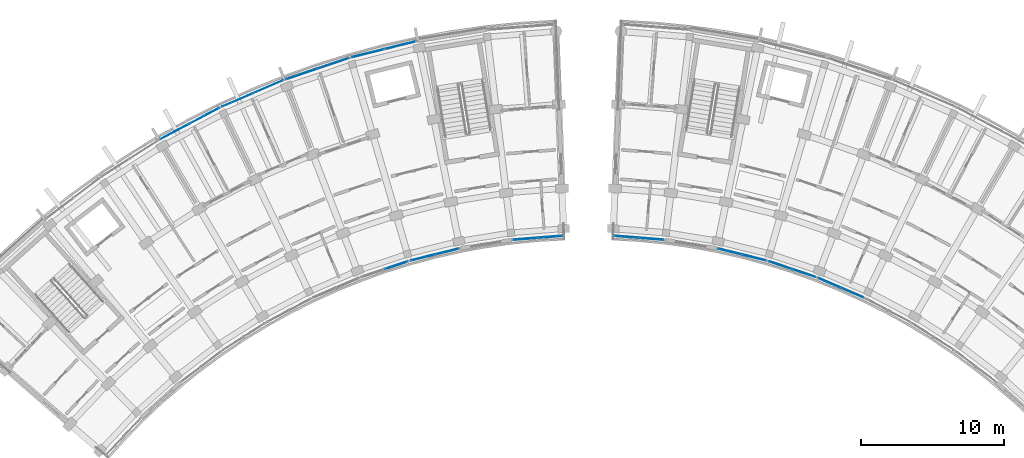
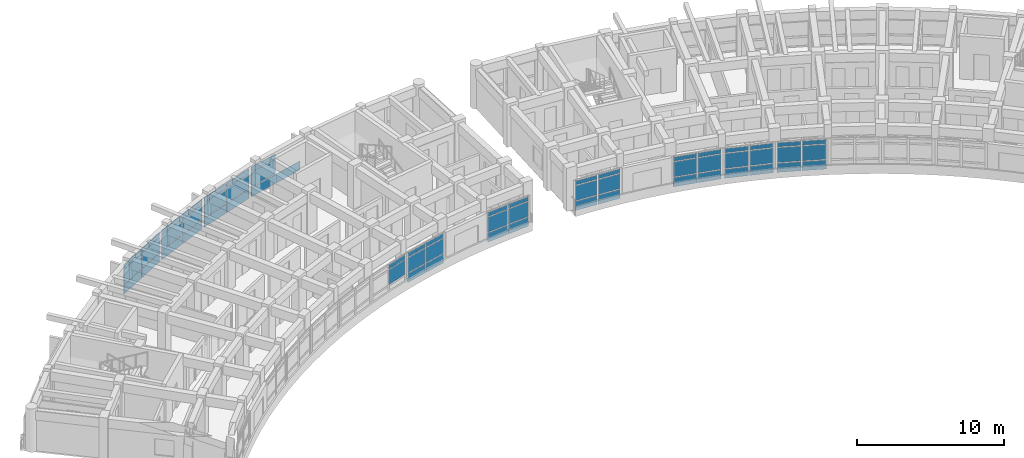
# One storey, part 46 of 83: 60 plates, 11 elements without a shape of their own.
"""IFC4 building model written with IfcOpenShell, lengths in metres."""

import ifcopenshell
import ifcopenshell.guid

model = None  # the IFC model being written
_history = None  # IfcOwnerHistory: only IFC2X3 demands one
_inside = {}  # id of a spatial element -> (the spatial element, [elements in it])
_under = {}  # id of a project, library or spatial element -> (it, [spatial elements below it])
_declared = {}  # id of a project -> (the project, [libraries it declares])
_typed = {}  # id of a type object -> (the type object, [elements of that type])
_made_of = {}  # id of a material, layer set ... -> (it, [elements and type objects made of it])


def new_model(schema):
    """Start an empty IFC model of exactly this schema.

    Asked for "IFC4X3", IfcOpenShell would pick the latest addendum, in which some entities
    have other attributes; the version numbers below select the first issue.
    IFC2X3 requires an IfcOwnerHistory on every rooted entity: one is made here for all.
    """
    global model, _history
    if schema == "IFC4X3":
        model = ifcopenshell.file(schema_version=(4, 3, 0, 0))
    else:
        model = ifcopenshell.file(schema=schema)
    _inside.clear()
    _under.clear()
    _declared.clear()
    _typed.clear()
    _made_of.clear()
    _history = None
    if model.schema == "IFC2X3":
        org = make("IfcOrganization", Name="unknown")
        user = make(
            "IfcPersonAndOrganization",
            ThePerson=make("IfcPerson", FamilyName="unknown"),
            TheOrganization=org,
        )
        app = make(
            "IfcApplication",
            ApplicationDeveloper=org,
            Version="unknown",
            ApplicationFullName="unknown",
            ApplicationIdentifier="unknown",
        )
        _history = make(
            "IfcOwnerHistory",
            OwningUser=user,
            OwningApplication=app,
            ChangeAction="ADDED",
            CreationDate=0,
        )
    return model


def make(cls, **values):
    """One entity of the class cls with the attributes given. An attribute that is None is left unset."""
    return model.create_entity(
        cls, **{name: value for name, value in values.items() if value is not None}
    )


def rooted(cls, **values):
    """An entity with a GlobalId (a new one), such as an element, a storey or a relation."""
    return make(cls, GlobalId=ifcopenshell.guid.new(), OwnerHistory=_history, **values)


def si_unit(unit_type, name, prefix=None):
    """IfcSIUnit, for example si_unit("LENGTHUNIT", "METRE", prefix="MILLI")."""
    return make("IfcSIUnit", UnitType=unit_type, Prefix=prefix, Name=name)


def assignment(units):
    """IfcUnitAssignment: the units of a project."""
    return None if units is None else make("IfcUnitAssignment", Units=units)


def point(xyz):
    """IfcCartesianPoint."""
    return None if xyz is None else make("IfcCartesianPoint", Coordinates=xyz)


def direction(xyz):
    """IfcDirection."""
    return None if xyz is None else make("IfcDirection", DirectionRatios=xyz)


def frame(location, z_axis=None, x_axis=None):
    """IfcAxis2Placement3D, a coordinate frame: its origin and axes. An axis left out is left unset."""
    return make(
        "IfcAxis2Placement3D",
        Location=point(location),
        Axis=direction(z_axis),
        RefDirection=direction(x_axis),
    )


def frame_2d(location, x_axis=None):
    """IfcAxis2Placement2D, a coordinate frame in the plane: its origin and x axis."""
    return make(
        "IfcAxis2Placement2D", Location=point(location), RefDirection=direction(x_axis)
    )


def origin():
    """The frame at (0, 0, 0) with its axes left unset."""
    return frame((0.0, 0.0, 0.0))


def origin_2d():
    """The frame at (0, 0) in the plane with its x axis left unset."""
    return frame_2d((0.0, 0.0))


def place(relative_to, where):
    """IfcLocalPlacement: puts the frame where relative to a parent placement (None: the world)."""
    return make(
        "IfcLocalPlacement", PlacementRelTo=relative_to, RelativePlacement=where
    )


def context(
    kind, dimensions, precision=None, world=None, true_north=None, identifier=None
):
    """IfcGeometricRepresentationContext, for example the 3D "Model" context."""
    return make(
        "IfcGeometricRepresentationContext",
        ContextIdentifier=identifier,
        ContextType=kind,
        CoordinateSpaceDimension=dimensions,
        Precision=precision,
        WorldCoordinateSystem=world,
        TrueNorth=true_north,
    )


def subcontext(parent, identifier, kind, view, scale=None):
    """IfcGeometricRepresentationSubContext, for example "Body" below "Model"."""
    return make(
        "IfcGeometricRepresentationSubContext",
        ContextIdentifier=identifier,
        ContextType=kind,
        ParentContext=parent,
        TargetScale=scale,
        TargetView=view,
    )


def project(units=None, contexts=None):
    """IfcProject with its units and contexts."""
    return rooted(
        "IfcProject",
        Name="project",
        RepresentationContexts=contexts,
        UnitsInContext=assignment(units),
    )


def spatial(cls, under=None, at=None, **own):
    """A site, building, storey or space (cls), placed at a placement, below another one or the project."""
    s = rooted(cls, ObjectPlacement=at, **own)
    if under is not None:
        _under.setdefault(under.id(), (under, []))[1].append(s)
    return s


def profile(cls, at=None, kind="AREA", **sizes):
    """A parametric profile (cls). Its sizes go by their IFC names, for example OverallWidth=200.0."""
    return make(cls, ProfileType=kind, Position=at, **sizes)


def rectangle(**sizes):
    """IfcRectangleProfileDef."""
    return profile("IfcRectangleProfileDef", **sizes)


def extrude(swept, where, along, depth):
    """IfcExtrudedAreaSolid: the profile swept, set in the frame where, extruded along a direction by depth."""
    return make(
        "IfcExtrudedAreaSolid",
        SweptArea=swept,
        Position=where,
        ExtrudedDirection=direction(along),
        Depth=depth,
    )


def shape(context_of_items, identifier, shape_type, items):
    """IfcShapeRepresentation: the items that make up one representation, for example the "Body"."""
    return make(
        "IfcShapeRepresentation",
        ContextOfItems=context_of_items,
        RepresentationIdentifier=identifier,
        RepresentationType=shape_type,
        Items=items,
    )


def material(Name=None, Category=None):
    """IfcMaterial."""
    return make("IfcMaterial", Name=Name, Category=Category)


def layer(
    of_material, thickness, ventilated=None, Name=None, Category=None, Priority=None
):
    """IfcMaterialLayer: one layer of a wall or slab, of a material (None: an air gap)."""
    return make(
        "IfcMaterialLayer",
        Material=of_material,
        LayerThickness=thickness,
        IsVentilated=ventilated,
        Name=Name,
        Category=Category,
        Priority=Priority,
    )


def layer_set(layers, Name=None):
    """IfcMaterialLayerSet."""
    return make("IfcMaterialLayerSet", MaterialLayers=layers, LayerSetName=Name)


def made_of(thing, what):
    """Note that an element or type object is made of a material, layer set ...; save() writes the relation."""
    if what is not None:
        _made_of.setdefault(what.id(), (what, []))[1].append(thing)
    return thing


def type_object(cls, material=None, **own):
    """A type object (cls), such as IfcWallType, which elements share."""
    return made_of(rooted(cls, **own), material)


def element(
    cls,
    number,
    at=None,
    inside=None,
    cuts=None,
    type_object=None,
    material=None,
    context=None,
    identifier="Body",
    shape_type=None,
    held_by="IfcProductDefinitionShape",
    body=None,
    shapes=None,
    **own,
):
    """One element of the class cls, such as IfcWall. Its Tag is "e" and its number.

    at: its placement. inside: the storey or other place that contains it. cuts: it is an
    opening in that element (IfcRelVoidsElement). A single representation is given by context,
    identifier, shape_type and body (its items); several are given by shapes. held_by: the class
    of the entity that holds the representations. save() writes the other relations.
    """
    e = rooted(cls, Tag="e%d" % number, ObjectPlacement=at, **own)
    if body is not None:
        shapes = [shape(context, identifier, shape_type, body)]
    if shapes is not None:
        e.Representation = make(held_by, Representations=shapes)
    if inside is not None:
        _inside.setdefault(inside.id(), (inside, []))[1].append(e)
    if cuts is not None:
        rooted(
            "IfcRelVoidsElement", RelatingBuildingElement=cuts, RelatedOpeningElement=e
        )
    if type_object is not None:
        _typed.setdefault(type_object.id(), (type_object, []))[1].append(e)
    return made_of(e, material)


def aggregate(whole, parts):
    """IfcRelAggregates: a whole, such as a stair, and the parts it consists of."""
    return rooted("IfcRelAggregates", RelatingObject=whole, RelatedObjects=parts)


def save(model, path):
    """Write the relations noted so far, then the file.

    IfcRelAggregates (storeys below a building ...), IfcRelContainedInSpatialStructure (elements
    in a storey), IfcRelDefinesByType, IfcRelAssociatesMaterial and IfcRelDeclares: one each for
    every whole, place, type object, material and project.
    """
    for whole, parts in _under.values():
        aggregate(whole, parts)
    for where, things in _inside.values():
        rooted(
            "IfcRelContainedInSpatialStructure",
            RelatedElements=things,
            RelatingStructure=where,
        )
    for kind, things in _typed.values():
        rooted("IfcRelDefinesByType", RelatedObjects=things, RelatingType=kind)
    for what, things in _made_of.values():
        rooted("IfcRelAssociatesMaterial", RelatedObjects=things, RelatingMaterial=what)
    for by, libraries in _declared.values():
        rooted("IfcRelDeclares", RelatingContext=by, RelatedDefinitions=libraries)
    model.write(path)


model = new_model("IFC4")

# Units and contexts
model_context = context("Model", 3, precision=1e-05, world=origin(), true_north=direction((0.0, 1.0)))
body_context = subcontext(model_context, "Body", "Model", "MODEL_VIEW")
ifc_project = project(units=[si_unit("LENGTHUNIT", "METRE"), si_unit("AREAUNIT", "SQUARE_METRE"), si_unit("VOLUMEUNIT", "CUBIC_METRE"), si_unit("PLANEANGLEUNIT", "RADIAN"), si_unit("MASSUNIT", "GRAM", prefix="KILO")], contexts=[model_context])

# Site, building, storey
site_placement = place(None, origin())
site = spatial("IfcSite", under=ifc_project, at=site_placement, CompositionType="ELEMENT")
building_placement = place(site_placement, origin())
building = spatial("IfcBuilding", under=site, at=building_placement, Name="Zimvara Arc Housing Community", CompositionType="ELEMENT")
storey_placement = place(building_placement, frame((0.0, 0.0, 4.5)))
storey = spatial("IfcBuildingStorey", under=building, at=storey_placement, Name="L01", CompositionType="ELEMENT", Elevation=4.5)

# Curtain wall, plates
ifc_material_1 = material(Name="Anodised Aluminium AW-6063", Category="aluminium")
curtain_wall_type_1 = type_object("IfcCurtainWallType", Name="CW-SYS-04", PredefinedType="USERDEFINED", material=ifc_material_1)
curtain_wall_1_placement = place(storey_placement, origin())
curtain_wall_1 = element("IfcCurtainWall", 1, at=curtain_wall_1_placement, inside=storey, type_object=curtain_wall_type_1, Name="cw:blkA:L01:in:b6", ObjectType="CURTAIN WALL", PredefinedType="USERDEFINED")
ifc_material_2 = material(Name="Pale-Gold Anodised Aluminium Spandrel Panel", Category="aluminium")
ifc_layer_1 = layer(ifc_material_2, 0.035888671875)
ifc_layer_set_1 = layer_set([ifc_layer_1], Name="Pale-Gold Anodised Aluminium Spandrel Panel")
plate_type_1 = type_object("IfcPlateType", Name="CWP-GLD-36", PredefinedType="CURTAIN_PANEL", material=ifc_layer_set_1)
plate_1_placement = place(storey_placement, frame((31.6142578125, 87.03466796875, 0.88232421875), z_axis=(0.0, 0.0, 1.0), x_axis=(0.94787908732, 0.318630249383, 0.0)))
plate_1 = element("IfcPlate", 2, at=plate_1_placement, type_object=plate_type_1, Name="CW04 panel 2.2", PredefinedType="CURTAIN_PANEL", context=body_context, shape_type="SweptSolid", body=[
    extrude(rectangle(XDim=1.664306640625, YDim=0.035888671875, at=origin_2d()), origin(), (0.0, 0.0, 1.0), 1.235107421875),
])
plate_2_placement = place(storey_placement, frame((31.6142578125, 87.03466796875, 2.182373046875), z_axis=(0.0, 0.0, 1.0), x_axis=(0.94787908732, 0.318630249383, 0.0)))
plate_2 = element("IfcPlate", 3, at=plate_2_placement, type_object=plate_type_1, Name="CW04 panel 2.3", PredefinedType="CURTAIN_PANEL", context=body_context, shape_type="SweptSolid", body=[
    extrude(rectangle(XDim=1.664306640625, YDim=0.035888671875, at=origin_2d()), origin(), (0.0, 0.0, 1.0), 0.3525390625),
])
aggregate(curtain_wall_1, [plate_1, plate_2])

ifc_material_3 = material(Name="Anodised Aluminium AW-6063", Category="aluminium")
curtain_wall_type_2 = type_object("IfcCurtainWallType", Name="CW-SYS-08", PredefinedType="USERDEFINED", material=ifc_material_3)
curtain_wall_2_placement = place(storey_placement, origin())
curtain_wall_2 = element("IfcCurtainWall", 4, at=curtain_wall_2_placement, inside=storey, type_object=curtain_wall_type_2, Name="cw:blkA:L01:in:b9", ObjectType="CURTAIN WALL", PredefinedType="USERDEFINED")
plate_3_placement = place(storey_placement, frame((40.609130859375, 88.87451171875, 0.06494140625), z_axis=(0.0, 0.0, 1.0), x_axis=(0.996862343506, 0.079154709897, 0.0)))
plate_3 = element("IfcPlate", 5, at=plate_3_placement, type_object=plate_type_1, Name="CW08 panel 1.1", PredefinedType="CURTAIN_PANEL", context=body_context, shape_type="SweptSolid", body=[
    extrude(rectangle(XDim=1.664306640625, YDim=0.035888671875, at=origin_2d()), origin(), (0.0, 0.0, 1.0), 0.75244140625),
])
plate_4_placement = place(storey_placement, frame((40.609130859375, 88.87451171875, 0.88232421875), z_axis=(0.0, 0.0, 1.0), x_axis=(0.996862343506, 0.079154709897, 0.0)))
plate_4 = element("IfcPlate", 6, at=plate_4_placement, type_object=plate_type_1, Name="CW08 panel 1.2", PredefinedType="CURTAIN_PANEL", context=body_context, shape_type="SweptSolid", body=[
    extrude(rectangle(XDim=1.664306640625, YDim=0.035888671875, at=origin_2d()), origin(), (0.0, 0.0, 1.0), 1.235107421875),
])
plate_5_placement = place(storey_placement, frame((40.609130859375, 88.87451171875, 2.182373046875), z_axis=(0.0, 0.0, 1.0), x_axis=(0.996862343506, 0.079154709897, 0.0)))
plate_5 = element("IfcPlate", 7, at=plate_5_placement, type_object=plate_type_1, Name="CW08 panel 1.3", PredefinedType="CURTAIN_PANEL", context=body_context, shape_type="SweptSolid", body=[
    extrude(rectangle(XDim=1.664306640625, YDim=0.035888671875, at=origin_2d()), origin(), (0.0, 0.0, 1.0), 0.3525390625),
])
plate_6_placement = place(storey_placement, frame((42.3330078125, 89.01123046875, 0.06494140625), z_axis=(0.0, 0.0, 1.0), x_axis=(0.996862343506, 0.079154709897, 0.0)))
plate_6 = element("IfcPlate", 8, at=plate_6_placement, type_object=plate_type_1, Name="CW08 panel 2.1", PredefinedType="CURTAIN_PANEL", context=body_context, shape_type="SweptSolid", body=[
    extrude(rectangle(XDim=1.664306640625, YDim=0.035888671875, at=origin_2d()), origin(), (0.0, 0.0, 1.0), 0.75244140625),
])
plate_7_placement = place(storey_placement, frame((42.3330078125, 89.01123046875, 0.88232421875), z_axis=(0.0, 0.0, 1.0), x_axis=(0.996862343506, 0.079154709897, 0.0)))
plate_7 = element("IfcPlate", 9, at=plate_7_placement, type_object=plate_type_1, Name="CW08 panel 2.2", PredefinedType="CURTAIN_PANEL", context=body_context, shape_type="SweptSolid", body=[
    extrude(rectangle(XDim=1.664306640625, YDim=0.035888671875, at=origin_2d()), origin(), (0.0, 0.0, 1.0), 1.235107421875),
])
plate_8_placement = place(storey_placement, frame((42.3330078125, 89.01123046875, 2.182373046875), z_axis=(0.0, 0.0, 1.0), x_axis=(0.996862343506, 0.079154709897, 0.0)))
plate_8 = element("IfcPlate", 10, at=plate_8_placement, type_object=plate_type_1, Name="CW08 panel 2.3", PredefinedType="CURTAIN_PANEL", context=body_context, shape_type="SweptSolid", body=[
    extrude(rectangle(XDim=1.664306640625, YDim=0.035888671875, at=origin_2d()), origin(), (0.0, 0.0, 1.0), 0.3525390625),
])
aggregate(curtain_wall_2, [plate_3, plate_4, plate_5, plate_6, plate_7, plate_8])

curtain_wall_3_placement = place(storey_placement, origin())
curtain_wall_3 = element("IfcCurtainWall", 11, at=curtain_wall_3_placement, inside=storey, type_object=curtain_wall_type_1, Name="cw:blkB:L01:in:b2", ObjectType="CURTAIN WALL", PredefinedType="USERDEFINED")
plate_9_placement = place(storey_placement, frame((54.87060546875, 87.98486328125, 0.06494140625), z_axis=(0.0, 0.0, 1.0), x_axis=(0.970716537698, -0.240227815706, 0.0)))
plate_9 = element("IfcPlate", 12, at=plate_9_placement, type_object=plate_type_1, Name="CW04 panel 1.1", PredefinedType="CURTAIN_PANEL", context=body_context, shape_type="SweptSolid", body=[
    extrude(rectangle(XDim=1.664306640625, YDim=0.035888671875, at=origin_2d()), origin(), (0.0, 0.0, 1.0), 0.75244140625),
])
plate_10_placement = place(storey_placement, frame((54.87060546875, 87.98486328125, 0.88232421875), z_axis=(0.0, 0.0, 1.0), x_axis=(0.970716537698, -0.240227815706, 0.0)))
plate_10 = element("IfcPlate", 13, at=plate_10_placement, type_object=plate_type_1, Name="CW04 panel 1.2", PredefinedType="CURTAIN_PANEL", context=body_context, shape_type="SweptSolid", body=[
    extrude(rectangle(XDim=1.664306640625, YDim=0.035888671875, at=origin_2d()), origin(), (0.0, 0.0, 1.0), 1.235107421875),
])
plate_11_placement = place(storey_placement, frame((54.87060546875, 87.98486328125, 2.182373046875), z_axis=(0.0, 0.0, 1.0), x_axis=(0.970716537698, -0.240227815706, 0.0)))
plate_11 = element("IfcPlate", 14, at=plate_11_placement, type_object=plate_type_1, Name="CW04 panel 1.3", PredefinedType="CURTAIN_PANEL", context=body_context, shape_type="SweptSolid", body=[
    extrude(rectangle(XDim=1.664306640625, YDim=0.035888671875, at=origin_2d()), origin(), (0.0, 0.0, 1.0), 0.3525390625),
])
plate_12_placement = place(storey_placement, frame((56.54931640625, 87.569580078125, 0.06494140625), z_axis=(0.0, 0.0, 1.0), x_axis=(0.970716537698, -0.240227815706, 0.0)))
plate_12 = element("IfcPlate", 15, at=plate_12_placement, type_object=plate_type_1, Name="CW04 panel 2.1", PredefinedType="CURTAIN_PANEL", context=body_context, shape_type="SweptSolid", body=[
    extrude(rectangle(XDim=1.664306640625, YDim=0.035888671875, at=origin_2d()), origin(), (0.0, 0.0, 1.0), 0.75244140625),
])
plate_13_placement = place(storey_placement, frame((56.54931640625, 87.569580078125, 0.88232421875), z_axis=(0.0, 0.0, 1.0), x_axis=(0.970716537698, -0.240227815706, 0.0)))
plate_13 = element("IfcPlate", 16, at=plate_13_placement, type_object=plate_type_1, Name="CW04 panel 2.2", PredefinedType="CURTAIN_PANEL", context=body_context, shape_type="SweptSolid", body=[
    extrude(rectangle(XDim=1.664306640625, YDim=0.035888671875, at=origin_2d()), origin(), (0.0, 0.0, 1.0), 1.235107421875),
])
plate_14_placement = place(storey_placement, frame((56.54931640625, 87.569580078125, 2.182373046875), z_axis=(0.0, 0.0, 1.0), x_axis=(0.970716537698, -0.240227815706, 0.0)))
plate_14 = element("IfcPlate", 17, at=plate_14_placement, type_object=plate_type_1, Name="CW04 panel 2.3", PredefinedType="CURTAIN_PANEL", context=body_context, shape_type="SweptSolid", body=[
    extrude(rectangle(XDim=1.664306640625, YDim=0.035888671875, at=origin_2d()), origin(), (0.0, 0.0, 1.0), 0.3525390625),
])
aggregate(curtain_wall_3, [plate_9, plate_10, plate_11, plate_12, plate_13, plate_14])

curtain_wall_4_placement = place(storey_placement, origin())
curtain_wall_4 = element("IfcCurtainWall", 18, at=curtain_wall_4_placement, inside=storey, type_object=curtain_wall_type_2, Name="cw:blkB:L01:in:b4", ObjectType="CURTAIN WALL", PredefinedType="USERDEFINED")
plate_15_placement = place(storey_placement, frame((61.8115234375, 85.80078125, 0.06494140625), z_axis=(0.0, 0.0, 1.0), x_axis=(0.918722178415, -0.394904493375, 0.0)))
plate_15 = element("IfcPlate", 19, at=plate_15_placement, type_object=plate_type_1, Name="CW08 panel 1.1", PredefinedType="CURTAIN_PANEL", context=body_context, shape_type="SweptSolid", body=[
    extrude(rectangle(XDim=1.664306640625, YDim=0.035888671875, at=origin_2d()), origin(), (0.0, 0.0, 1.0), 0.75244140625),
])
plate_16_placement = place(storey_placement, frame((61.8115234375, 85.80078125, 0.88232421875), z_axis=(0.0, 0.0, 1.0), x_axis=(0.918722178415, -0.394904493375, 0.0)))
plate_16 = element("IfcPlate", 20, at=plate_16_placement, type_object=plate_type_1, Name="CW08 panel 1.2", PredefinedType="CURTAIN_PANEL", context=body_context, shape_type="SweptSolid", body=[
    extrude(rectangle(XDim=1.664306640625, YDim=0.035888671875, at=origin_2d()), origin(), (0.0, 0.0, 1.0), 1.235107421875),
])
plate_17_placement = place(storey_placement, frame((61.8115234375, 85.80078125, 2.182373046875), z_axis=(0.0, 0.0, 1.0), x_axis=(0.918722178415, -0.394904493375, 0.0)))
plate_17 = element("IfcPlate", 21, at=plate_17_placement, type_object=plate_type_1, Name="CW08 panel 1.3", PredefinedType="CURTAIN_PANEL", context=body_context, shape_type="SweptSolid", body=[
    extrude(rectangle(XDim=1.664306640625, YDim=0.035888671875, at=origin_2d()), origin(), (0.0, 0.0, 1.0), 0.3525390625),
])
plate_18_placement = place(storey_placement, frame((63.400390625, 85.11767578125, 0.06494140625), z_axis=(0.0, 0.0, 1.0), x_axis=(0.918722178415, -0.394904493375, 0.0)))
plate_18 = element("IfcPlate", 22, at=plate_18_placement, type_object=plate_type_1, Name="CW08 panel 2.1", PredefinedType="CURTAIN_PANEL", context=body_context, shape_type="SweptSolid", body=[
    extrude(rectangle(XDim=1.664306640625, YDim=0.035888671875, at=origin_2d()), origin(), (0.0, 0.0, 1.0), 0.75244140625),
])
plate_19_placement = place(storey_placement, frame((63.400390625, 85.11767578125, 0.88232421875), z_axis=(0.0, 0.0, 1.0), x_axis=(0.918722178415, -0.394904493375, 0.0)))
plate_19 = element("IfcPlate", 23, at=plate_19_placement, type_object=plate_type_1, Name="CW08 panel 2.2", PredefinedType="CURTAIN_PANEL", context=body_context, shape_type="SweptSolid", body=[
    extrude(rectangle(XDim=1.664306640625, YDim=0.035888671875, at=origin_2d()), origin(), (0.0, 0.0, 1.0), 1.235107421875),
])
plate_20_placement = place(storey_placement, frame((63.400390625, 85.11767578125, 2.182373046875), z_axis=(0.0, 0.0, 1.0), x_axis=(0.918722178415, -0.394904493375, 0.0)))
plate_20 = element("IfcPlate", 24, at=plate_20_placement, type_object=plate_type_1, Name="CW08 panel 2.3", PredefinedType="CURTAIN_PANEL", context=body_context, shape_type="SweptSolid", body=[
    extrude(rectangle(XDim=1.664306640625, YDim=0.035888671875, at=origin_2d()), origin(), (0.0, 0.0, 1.0), 0.3525390625),
])
aggregate(curtain_wall_4, [plate_15, plate_16, plate_17, plate_18, plate_19, plate_20])

ifc_material_4 = material(Name="Anodised Aluminium AW-6063", Category="aluminium")
curtain_wall_type_3 = type_object("IfcCurtainWallType", Name="CW-SYS-01", PredefinedType="USERDEFINED", material=ifc_material_4)
curtain_wall_5_placement = place(storey_placement, origin())
curtain_wall_5 = element("IfcCurtainWall", 25, at=curtain_wall_5_placement, inside=storey, type_object=curtain_wall_type_3, Name="cw:blkA:L01:out:b5", ObjectType="CURTAIN WALL", PredefinedType="USERDEFINED")
ifc_material_5 = material(Name="Solar Control Low-E Double Glazing", Category="glass")
ifc_layer_2 = layer(ifc_material_5, 0.02392578125)
ifc_layer_set_2 = layer_set([ifc_layer_2], Name="Solar Control Low-E Double Glazing")
plate_type_2 = type_object("IfcPlateType", Name="CWP-GLZ-24", PredefinedType="CURTAIN_PANEL", material=ifc_layer_set_2)
plate_21_placement = place(storey_placement, frame((20.4990234375, 98.5478515625, 0.06494140625), z_axis=(0.0, 0.0, 1.0), x_axis=(0.918722299363, 0.394904211998, 0.0)))
plate_21 = element("IfcPlate", 26, at=plate_21_placement, type_object=plate_type_2, Name="CW01 panel 1.1", PredefinedType="CURTAIN_PANEL", context=body_context, shape_type="SweptSolid", body=[
    extrude(rectangle(XDim=2.266845703125, YDim=0.02392578125, at=origin_2d()), origin(), (0.0, 0.0, 1.0), 0.75244140625),
])
plate_22_placement = place(storey_placement, frame((20.4990234375, 98.5478515625, 0.88232421875), z_axis=(0.0, 0.0, 1.0), x_axis=(0.918722299363, 0.394904211998, 0.0)))
plate_22 = element("IfcPlate", 27, at=plate_22_placement, type_object=plate_type_2, Name="CW01 panel 1.2", PredefinedType="CURTAIN_PANEL", context=body_context, shape_type="SweptSolid", body=[
    extrude(rectangle(XDim=2.266845703125, YDim=0.02392578125, at=origin_2d()), origin(), (0.0, 0.0, 1.0), 1.235107421875),
])
plate_23_placement = place(storey_placement, frame((20.4990234375, 98.5478515625, 2.182373046875), z_axis=(0.0, 0.0, 1.0), x_axis=(0.918722299363, 0.394904211998, 0.0)))
plate_23 = element("IfcPlate", 28, at=plate_23_placement, type_object=plate_type_2, Name="CW01 panel 1.3", PredefinedType="CURTAIN_PANEL", context=body_context, shape_type="SweptSolid", body=[
    extrude(rectangle(XDim=2.266845703125, YDim=0.02392578125, at=origin_2d()), origin(), (0.0, 0.0, 1.0), 0.3525390625),
])
plate_24_placement = place(storey_placement, frame((22.641357421875, 99.46875, 0.06494140625), z_axis=(0.0, 0.0, 1.0), x_axis=(0.918722299363, 0.394904211998, 0.0)))
plate_24 = element("IfcPlate", 29, at=plate_24_placement, type_object=plate_type_2, Name="CW01 panel 2.1", PredefinedType="CURTAIN_PANEL", context=body_context, shape_type="SweptSolid", body=[
    extrude(rectangle(XDim=2.266845703125, YDim=0.02392578125, at=origin_2d()), origin(), (0.0, 0.0, 1.0), 0.75244140625),
])
plate_25_placement = place(storey_placement, frame((22.641357421875, 99.46875, 0.88232421875), z_axis=(0.0, 0.0, 1.0), x_axis=(0.918722299363, 0.394904211998, 0.0)))
plate_25 = element("IfcPlate", 30, at=plate_25_placement, type_object=plate_type_2, Name="CW01 panel 2.2", PredefinedType="CURTAIN_PANEL", context=body_context, shape_type="SweptSolid", body=[
    extrude(rectangle(XDim=2.266845703125, YDim=0.02392578125, at=origin_2d()), origin(), (0.0, 0.0, 1.0), 1.235107421875),
])
plate_26_placement = place(storey_placement, frame((22.641357421875, 99.46875, 2.182373046875), z_axis=(0.0, 0.0, 1.0), x_axis=(0.918722299363, 0.394904211998, 0.0)))
plate_26 = element("IfcPlate", 31, at=plate_26_placement, type_object=plate_type_2, Name="CW01 panel 2.3", PredefinedType="CURTAIN_PANEL", context=body_context, shape_type="SweptSolid", body=[
    extrude(rectangle(XDim=2.266845703125, YDim=0.02392578125, at=origin_2d()), origin(), (0.0, 0.0, 1.0), 0.3525390625),
])
aggregate(curtain_wall_5, [plate_21, plate_22, plate_23, plate_24, plate_25, plate_26])

ifc_material_6 = material(Name="Anodised Aluminium AW-6063", Category="aluminium")
curtain_wall_type_4 = type_object("IfcCurtainWallType", Name="CW-SYS-05", PredefinedType="USERDEFINED", material=ifc_material_6)
curtain_wall_6_placement = place(storey_placement, origin())
curtain_wall_6 = element("IfcCurtainWall", 32, at=curtain_wall_6_placement, inside=storey, type_object=curtain_wall_type_4, Name="cw:blkA:L01:out:b7", ObjectType="CURTAIN WALL", PredefinedType="USERDEFINED")
plate_27_placement = place(storey_placement, frame((29.615234375, 101.81298828125, 0.06494140625), z_axis=(0.0, 0.0, 1.0), x_axis=(0.970716068627, 0.240229711131, 0.0)))
plate_27 = element("IfcPlate", 33, at=plate_27_placement, type_object=plate_type_2, Name="CW05 panel 1.1", PredefinedType="CURTAIN_PANEL", context=body_context, shape_type="SweptSolid", body=[
    extrude(rectangle(XDim=2.266845703125, YDim=0.02392578125, at=origin_2d()), origin(), (0.0, 0.0, 1.0), 0.75244140625),
])
plate_28_placement = place(storey_placement, frame((29.615234375, 101.81298828125, 0.88232421875), z_axis=(0.0, 0.0, 1.0), x_axis=(0.970716068627, 0.240229711131, 0.0)))
plate_28 = element("IfcPlate", 34, at=plate_28_placement, type_object=plate_type_2, Name="CW05 panel 1.2", PredefinedType="CURTAIN_PANEL", context=body_context, shape_type="SweptSolid", body=[
    extrude(rectangle(XDim=2.266845703125, YDim=0.02392578125, at=origin_2d()), origin(), (0.0, 0.0, 1.0), 1.235107421875),
])
plate_29_placement = place(storey_placement, frame((29.615234375, 101.81298828125, 2.182373046875), z_axis=(0.0, 0.0, 1.0), x_axis=(0.970716068627, 0.240229711131, 0.0)))
plate_29 = element("IfcPlate", 35, at=plate_29_placement, type_object=plate_type_2, Name="CW05 panel 1.3", PredefinedType="CURTAIN_PANEL", context=body_context, shape_type="SweptSolid", body=[
    extrude(rectangle(XDim=2.266845703125, YDim=0.02392578125, at=origin_2d()), origin(), (0.0, 0.0, 1.0), 0.3525390625),
])
plate_30_placement = place(storey_placement, frame((31.87890625, 102.373291015625, 0.06494140625), z_axis=(0.0, 0.0, 1.0), x_axis=(0.970716068627, 0.240229711131, 0.0)))
plate_30 = element("IfcPlate", 36, at=plate_30_placement, type_object=plate_type_2, Name="CW05 panel 2.1", PredefinedType="CURTAIN_PANEL", context=body_context, shape_type="SweptSolid", body=[
    extrude(rectangle(XDim=2.266845703125, YDim=0.02392578125, at=origin_2d()), origin(), (0.0, 0.0, 1.0), 0.75244140625),
])
aggregate(curtain_wall_6, [plate_27, plate_28, plate_29, plate_30])

ifc_material_7 = material(Name="Anodised Aluminium AW-6063", Category="aluminium")
curtain_wall_type_5 = type_object("IfcCurtainWallType", Name="CW-SYS-06", PredefinedType="USERDEFINED", material=ifc_material_7)
curtain_wall_7_placement = place(storey_placement, origin())
curtain_wall_7 = element("IfcCurtainWall", 37, at=curtain_wall_7_placement, inside=storey, type_object=curtain_wall_type_5, Name="cw:blkA:L01:in:b7", ObjectType="CURTAIN WALL", PredefinedType="USERDEFINED")
ifc_material_8 = material(Name="Solar Control Low-E Double Glazing", Category="glass")
ifc_layer_3 = layer(ifc_material_8, 0.028076171875)
ifc_layer_set_3 = layer_set([ifc_layer_3], Name="Solar Control Low-E Double Glazing")
plate_type_3 = type_object("IfcPlateType", Name="CWP-GLZ-28", PredefinedType="CURTAIN_PANEL", material=ifc_layer_set_3)
plate_31_placement = place(storey_placement, frame((33.45068359375, 87.569580078125, 0.06494140625), z_axis=(0.0, 0.0, 1.0), x_axis=(0.970716537698, 0.240227815706, 0.0)))
plate_31 = element("IfcPlate", 38, at=plate_31_placement, type_object=plate_type_3, Name="CW06 panel 1.1", PredefinedType="CURTAIN_PANEL", context=body_context, shape_type="SweptSolid", body=[
    extrude(rectangle(XDim=1.664306640625, YDim=0.028076171875, at=origin_2d()), origin(), (0.0, 0.0, 1.0), 0.75244140625),
])
plate_32_placement = place(storey_placement, frame((33.45068359375, 87.569580078125, 0.88232421875), z_axis=(0.0, 0.0, 1.0), x_axis=(0.970716537698, 0.240227815706, 0.0)))
plate_32 = element("IfcPlate", 39, at=plate_32_placement, type_object=plate_type_3, Name="CW06 panel 1.2", PredefinedType="CURTAIN_PANEL", context=body_context, shape_type="SweptSolid", body=[
    extrude(rectangle(XDim=1.664306640625, YDim=0.028076171875, at=origin_2d()), origin(), (0.0, 0.0, 1.0), 1.235107421875),
])
plate_33_placement = place(storey_placement, frame((33.45068359375, 87.569580078125, 2.182373046875), z_axis=(0.0, 0.0, 1.0), x_axis=(0.970716537698, 0.240227815706, 0.0)))
plate_33 = element("IfcPlate", 40, at=plate_33_placement, type_object=plate_type_3, Name="CW06 panel 1.3", PredefinedType="CURTAIN_PANEL", context=body_context, shape_type="SweptSolid", body=[
    extrude(rectangle(XDim=1.664306640625, YDim=0.028076171875, at=origin_2d()), origin(), (0.0, 0.0, 1.0), 0.3525390625),
])
plate_34_placement = place(storey_placement, frame((35.12939453125, 87.98486328125, 0.06494140625), z_axis=(0.0, 0.0, 1.0), x_axis=(0.970716537698, 0.240227815706, 0.0)))
plate_34 = element("IfcPlate", 41, at=plate_34_placement, type_object=plate_type_3, Name="CW06 panel 2.1", PredefinedType="CURTAIN_PANEL", context=body_context, shape_type="SweptSolid", body=[
    extrude(rectangle(XDim=1.664306640625, YDim=0.028076171875, at=origin_2d()), origin(), (0.0, 0.0, 1.0), 0.75244140625),
])
plate_35_placement = place(storey_placement, frame((35.12939453125, 87.98486328125, 0.88232421875), z_axis=(0.0, 0.0, 1.0), x_axis=(0.970716537698, 0.240227815706, 0.0)))
plate_35 = element("IfcPlate", 42, at=plate_35_placement, type_object=plate_type_3, Name="CW06 panel 2.2", PredefinedType="CURTAIN_PANEL", context=body_context, shape_type="SweptSolid", body=[
    extrude(rectangle(XDim=1.664306640625, YDim=0.028076171875, at=origin_2d()), origin(), (0.0, 0.0, 1.0), 1.235107421875),
])
plate_36_placement = place(storey_placement, frame((35.12939453125, 87.98486328125, 2.182373046875), z_axis=(0.0, 0.0, 1.0), x_axis=(0.970716537698, 0.240227815706, 0.0)))
plate_36 = element("IfcPlate", 43, at=plate_36_placement, type_object=plate_type_3, Name="CW06 panel 2.3", PredefinedType="CURTAIN_PANEL", context=body_context, shape_type="SweptSolid", body=[
    extrude(rectangle(XDim=1.664306640625, YDim=0.028076171875, at=origin_2d()), origin(), (0.0, 0.0, 1.0), 0.3525390625),
])
aggregate(curtain_wall_7, [plate_31, plate_32, plate_33, plate_34, plate_35, plate_36])

ifc_material_9 = material(Name="Anodised Aluminium AW-6063", Category="aluminium")
curtain_wall_type_6 = type_object("IfcCurtainWallType", Name="CW-SYS-02", PredefinedType="USERDEFINED", material=ifc_material_9)
curtain_wall_8_placement = place(storey_placement, origin())
curtain_wall_8 = element("IfcCurtainWall", 44, at=curtain_wall_8_placement, inside=storey, type_object=curtain_wall_type_6, Name="cw:blkB:L01:in:b0", ObjectType="CURTAIN WALL", PredefinedType="USERDEFINED")
plate_37_placement = place(storey_placement, frame((47.6669921875, 89.01123046875, 0.06494140625), z_axis=(0.0, 0.0, 1.0), x_axis=(0.996862343506, -0.079154709897, 0.0)))
plate_37 = element("IfcPlate", 45, at=plate_37_placement, type_object=plate_type_3, Name="CW02 panel 1.1", PredefinedType="CURTAIN_PANEL", context=body_context, shape_type="SweptSolid", body=[
    extrude(rectangle(XDim=1.664306640625, YDim=0.028076171875, at=origin_2d()), origin(), (0.0, 0.0, 1.0), 0.75244140625),
])
plate_38_placement = place(storey_placement, frame((47.6669921875, 89.01123046875, 0.88232421875), z_axis=(0.0, 0.0, 1.0), x_axis=(0.996862343506, -0.079154709897, 0.0)))
plate_38 = element("IfcPlate", 46, at=plate_38_placement, type_object=plate_type_3, Name="CW02 panel 1.2", PredefinedType="CURTAIN_PANEL", context=body_context, shape_type="SweptSolid", body=[
    extrude(rectangle(XDim=1.664306640625, YDim=0.028076171875, at=origin_2d()), origin(), (0.0, 0.0, 1.0), 1.235107421875),
])
plate_39_placement = place(storey_placement, frame((47.6669921875, 89.01123046875, 2.182373046875), z_axis=(0.0, 0.0, 1.0), x_axis=(0.996862343506, -0.079154709897, 0.0)))
plate_39 = element("IfcPlate", 47, at=plate_39_placement, type_object=plate_type_3, Name="CW02 panel 1.3", PredefinedType="CURTAIN_PANEL", context=body_context, shape_type="SweptSolid", body=[
    extrude(rectangle(XDim=1.664306640625, YDim=0.028076171875, at=origin_2d()), origin(), (0.0, 0.0, 1.0), 0.3525390625),
])
plate_40_placement = place(storey_placement, frame((49.390869140625, 88.87451171875, 0.06494140625), z_axis=(0.0, 0.0, 1.0), x_axis=(0.996862343506, -0.079154709897, 0.0)))
plate_40 = element("IfcPlate", 48, at=plate_40_placement, type_object=plate_type_3, Name="CW02 panel 2.1", PredefinedType="CURTAIN_PANEL", context=body_context, shape_type="SweptSolid", body=[
    extrude(rectangle(XDim=1.664306640625, YDim=0.028076171875, at=origin_2d()), origin(), (0.0, 0.0, 1.0), 0.75244140625),
])
plate_41_placement = place(storey_placement, frame((49.390869140625, 88.87451171875, 0.88232421875), z_axis=(0.0, 0.0, 1.0), x_axis=(0.996862343506, -0.079154709897, 0.0)))
plate_41 = element("IfcPlate", 49, at=plate_41_placement, type_object=plate_type_3, Name="CW02 panel 2.2", PredefinedType="CURTAIN_PANEL", context=body_context, shape_type="SweptSolid", body=[
    extrude(rectangle(XDim=1.664306640625, YDim=0.028076171875, at=origin_2d()), origin(), (0.0, 0.0, 1.0), 1.235107421875),
])
plate_42_placement = place(storey_placement, frame((49.390869140625, 88.87451171875, 2.182373046875), z_axis=(0.0, 0.0, 1.0), x_axis=(0.996862343506, -0.079154709897, 0.0)))
plate_42 = element("IfcPlate", 50, at=plate_42_placement, type_object=plate_type_3, Name="CW02 panel 2.3", PredefinedType="CURTAIN_PANEL", context=body_context, shape_type="SweptSolid", body=[
    extrude(rectangle(XDim=1.664306640625, YDim=0.028076171875, at=origin_2d()), origin(), (0.0, 0.0, 1.0), 0.3525390625),
])
aggregate(curtain_wall_8, [plate_37, plate_38, plate_39, plate_40, plate_41, plate_42])

curtain_wall_9_placement = place(storey_placement, origin())
curtain_wall_9 = element("IfcCurtainWall", 51, at=curtain_wall_9_placement, inside=storey, type_object=curtain_wall_type_5, Name="cw:blkB:L01:in:b3", ObjectType="CURTAIN WALL", PredefinedType="USERDEFINED")
plate_43_placement = place(storey_placement, frame((58.3857421875, 87.03466796875, 0.06494140625), z_axis=(0.0, 0.0, 1.0), x_axis=(0.94787908732, -0.318630249383, 0.0)))
plate_43 = element("IfcPlate", 52, at=plate_43_placement, type_object=plate_type_3, Name="CW06 panel 1.1", PredefinedType="CURTAIN_PANEL", context=body_context, shape_type="SweptSolid", body=[
    extrude(rectangle(XDim=1.664306640625, YDim=0.028076171875, at=origin_2d()), origin(), (0.0, 0.0, 1.0), 0.75244140625),
])
plate_44_placement = place(storey_placement, frame((58.3857421875, 87.03466796875, 0.88232421875), z_axis=(0.0, 0.0, 1.0), x_axis=(0.94787908732, -0.318630249383, 0.0)))
plate_44 = element("IfcPlate", 53, at=plate_44_placement, type_object=plate_type_3, Name="CW06 panel 1.2", PredefinedType="CURTAIN_PANEL", context=body_context, shape_type="SweptSolid", body=[
    extrude(rectangle(XDim=1.664306640625, YDim=0.028076171875, at=origin_2d()), origin(), (0.0, 0.0, 1.0), 1.235107421875),
])
plate_45_placement = place(storey_placement, frame((58.3857421875, 87.03466796875, 2.182373046875), z_axis=(0.0, 0.0, 1.0), x_axis=(0.94787908732, -0.318630249383, 0.0)))
plate_45 = element("IfcPlate", 54, at=plate_45_placement, type_object=plate_type_3, Name="CW06 panel 1.3", PredefinedType="CURTAIN_PANEL", context=body_context, shape_type="SweptSolid", body=[
    extrude(rectangle(XDim=1.664306640625, YDim=0.028076171875, at=origin_2d()), origin(), (0.0, 0.0, 1.0), 0.3525390625),
])
plate_46_placement = place(storey_placement, frame((60.02490234375, 86.483642578125, 0.06494140625), z_axis=(0.0, 0.0, 1.0), x_axis=(0.94787908732, -0.318630249383, 0.0)))
plate_46 = element("IfcPlate", 55, at=plate_46_placement, type_object=plate_type_3, Name="CW06 panel 2.1", PredefinedType="CURTAIN_PANEL", context=body_context, shape_type="SweptSolid", body=[
    extrude(rectangle(XDim=1.664306640625, YDim=0.028076171875, at=origin_2d()), origin(), (0.0, 0.0, 1.0), 0.75244140625),
])
plate_47_placement = place(storey_placement, frame((60.02490234375, 86.483642578125, 0.88232421875), z_axis=(0.0, 0.0, 1.0), x_axis=(0.94787908732, -0.318630249383, 0.0)))
plate_47 = element("IfcPlate", 56, at=plate_47_placement, type_object=plate_type_3, Name="CW06 panel 2.2", PredefinedType="CURTAIN_PANEL", context=body_context, shape_type="SweptSolid", body=[
    extrude(rectangle(XDim=1.664306640625, YDim=0.028076171875, at=origin_2d()), origin(), (0.0, 0.0, 1.0), 1.235107421875),
])
plate_48_placement = place(storey_placement, frame((60.02490234375, 86.483642578125, 2.182373046875), z_axis=(0.0, 0.0, 1.0), x_axis=(0.94787908732, -0.318630249383, 0.0)))
plate_48 = element("IfcPlate", 57, at=plate_48_placement, type_object=plate_type_3, Name="CW06 panel 2.3", PredefinedType="CURTAIN_PANEL", context=body_context, shape_type="SweptSolid", body=[
    extrude(rectangle(XDim=1.664306640625, YDim=0.028076171875, at=origin_2d()), origin(), (0.0, 0.0, 1.0), 0.3525390625),
])
aggregate(curtain_wall_9, [plate_43, plate_44, plate_45, plate_46, plate_47, plate_48])

ifc_material_10 = material(Name="Anodised Aluminium AW-6063", Category="aluminium")
curtain_wall_type_7 = type_object("IfcCurtainWallType", Name="CW-SYS-07", PredefinedType="USERDEFINED", material=ifc_material_10)
curtain_wall_10_placement = place(storey_placement, origin())
curtain_wall_10 = element("IfcCurtainWall", 58, at=curtain_wall_10_placement, inside=storey, type_object=curtain_wall_type_7, Name="cw:blkA:L01:out:b4", ObjectType="CURTAIN WALL", PredefinedType="USERDEFINED")
ifc_material_11 = material(Name="Acoustic Laminated Solar Glazing", Category="glass")
ifc_layer_4 = layer(ifc_material_11, 0.031982421875)
ifc_layer_set_4 = layer_set([ifc_layer_4], Name="Acoustic Laminated Solar Glazing")
plate_type_4 = type_object("IfcPlateType", Name="CWP-GLZ-32", PredefinedType="CURTAIN_PANEL", material=ifc_layer_set_4)
plate_49_placement = place(storey_placement, frame((16.1708984375, 96.36865234375, 0.06494140625), z_axis=(0.0, 0.0, 1.0), x_axis=(0.883438614651, 0.468546917761, 0.0)))
plate_49 = element("IfcPlate", 59, at=plate_49_placement, type_object=plate_type_4, Name="CW07 panel 1.1", PredefinedType="CURTAIN_PANEL", context=body_context, shape_type="SweptSolid", body=[
    extrude(rectangle(XDim=2.266845703125, YDim=0.031982421875, at=origin_2d()), origin(), (0.0, 0.0, 1.0), 0.75244140625),
])
plate_50_placement = place(storey_placement, frame((16.1708984375, 96.36865234375, 0.88232421875), z_axis=(0.0, 0.0, 1.0), x_axis=(0.883438614651, 0.468546917761, 0.0)))
plate_50 = element("IfcPlate", 60, at=plate_50_placement, type_object=plate_type_4, Name="CW07 panel 1.2", PredefinedType="CURTAIN_PANEL", context=body_context, shape_type="SweptSolid", body=[
    extrude(rectangle(XDim=2.266845703125, YDim=0.031982421875, at=origin_2d()), origin(), (0.0, 0.0, 1.0), 1.235107421875),
])
plate_51_placement = place(storey_placement, frame((16.1708984375, 96.36865234375, 2.182373046875), z_axis=(0.0, 0.0, 1.0), x_axis=(0.883438614651, 0.468546917761, 0.0)))
plate_51 = element("IfcPlate", 61, at=plate_51_placement, type_object=plate_type_4, Name="CW07 panel 1.3", PredefinedType="CURTAIN_PANEL", context=body_context, shape_type="SweptSolid", body=[
    extrude(rectangle(XDim=2.266845703125, YDim=0.031982421875, at=origin_2d()), origin(), (0.0, 0.0, 1.0), 0.3525390625),
])
plate_52_placement = place(storey_placement, frame((18.23095703125, 97.461181640625, 0.06494140625), z_axis=(0.0, 0.0, 1.0), x_axis=(0.883438614651, 0.468546917761, 0.0)))
plate_52 = element("IfcPlate", 62, at=plate_52_placement, type_object=plate_type_4, Name="CW07 panel 2.1", PredefinedType="CURTAIN_PANEL", context=body_context, shape_type="SweptSolid", body=[
    extrude(rectangle(XDim=2.266845703125, YDim=0.031982421875, at=origin_2d()), origin(), (0.0, 0.0, 1.0), 0.75244140625),
])
plate_53_placement = place(storey_placement, frame((18.23095703125, 97.461181640625, 0.88232421875), z_axis=(0.0, 0.0, 1.0), x_axis=(0.883438614651, 0.468546917761, 0.0)))
plate_53 = element("IfcPlate", 63, at=plate_53_placement, type_object=plate_type_4, Name="CW07 panel 2.2", PredefinedType="CURTAIN_PANEL", context=body_context, shape_type="SweptSolid", body=[
    extrude(rectangle(XDim=2.266845703125, YDim=0.031982421875, at=origin_2d()), origin(), (0.0, 0.0, 1.0), 1.235107421875),
])
plate_54_placement = place(storey_placement, frame((18.23095703125, 97.461181640625, 2.182373046875), z_axis=(0.0, 0.0, 1.0), x_axis=(0.883438614651, 0.468546917761, 0.0)))
plate_54 = element("IfcPlate", 64, at=plate_54_placement, type_object=plate_type_4, Name="CW07 panel 2.3", PredefinedType="CURTAIN_PANEL", context=body_context, shape_type="SweptSolid", body=[
    extrude(rectangle(XDim=2.266845703125, YDim=0.031982421875, at=origin_2d()), origin(), (0.0, 0.0, 1.0), 0.3525390625),
])
aggregate(curtain_wall_10, [plate_49, plate_50, plate_51, plate_52, plate_53, plate_54])

ifc_material_12 = material(Name="Anodised Aluminium AW-6063", Category="aluminium")
curtain_wall_type_8 = type_object("IfcCurtainWallType", Name="CW-SYS-03", PredefinedType="USERDEFINED", material=ifc_material_12)
curtain_wall_11_placement = place(storey_placement, origin())
curtain_wall_11 = element("IfcCurtainWall", 65, at=curtain_wall_11_placement, inside=storey, type_object=curtain_wall_type_8, Name="cw:blkA:L01:out:b6", ObjectType="CURTAIN WALL", PredefinedType="USERDEFINED")
plate_55_placement = place(storey_placement, frame((24.990478515625, 100.36669921875, 0.06494140625), z_axis=(0.0, 0.0, 1.0), x_axis=(0.947879647164, 0.318628583921, 0.0)))
plate_55 = element("IfcPlate", 66, at=plate_55_placement, type_object=plate_type_4, Name="CW03 panel 1.1", PredefinedType="CURTAIN_PANEL", context=body_context, shape_type="SweptSolid", body=[
    extrude(rectangle(XDim=2.266845703125, YDim=0.031982421875, at=origin_2d()), origin(), (0.0, 0.0, 1.0), 0.75244140625),
])
plate_56_placement = place(storey_placement, frame((24.990478515625, 100.36669921875, 0.88232421875), z_axis=(0.0, 0.0, 1.0), x_axis=(0.947879647164, 0.318628583921, 0.0)))
plate_56 = element("IfcPlate", 67, at=plate_56_placement, type_object=plate_type_4, Name="CW03 panel 1.2", PredefinedType="CURTAIN_PANEL", context=body_context, shape_type="SweptSolid", body=[
    extrude(rectangle(XDim=2.266845703125, YDim=0.031982421875, at=origin_2d()), origin(), (0.0, 0.0, 1.0), 1.235107421875),
])
plate_57_placement = place(storey_placement, frame((24.990478515625, 100.36669921875, 2.182373046875), z_axis=(0.0, 0.0, 1.0), x_axis=(0.947879647164, 0.318628583921, 0.0)))
plate_57 = element("IfcPlate", 68, at=plate_57_placement, type_object=plate_type_4, Name="CW03 panel 1.3", PredefinedType="CURTAIN_PANEL", context=body_context, shape_type="SweptSolid", body=[
    extrude(rectangle(XDim=2.266845703125, YDim=0.031982421875, at=origin_2d()), origin(), (0.0, 0.0, 1.0), 0.3525390625),
])
plate_58_placement = place(storey_placement, frame((27.200927734375, 101.109619140625, 0.06494140625), z_axis=(0.0, 0.0, 1.0), x_axis=(0.947879647164, 0.318628583921, 0.0)))
plate_58 = element("IfcPlate", 69, at=plate_58_placement, type_object=plate_type_4, Name="CW03 panel 2.1", PredefinedType="CURTAIN_PANEL", context=body_context, shape_type="SweptSolid", body=[
    extrude(rectangle(XDim=2.266845703125, YDim=0.031982421875, at=origin_2d()), origin(), (0.0, 0.0, 1.0), 0.75244140625),
])
plate_59_placement = place(storey_placement, frame((27.200927734375, 101.109619140625, 0.88232421875), z_axis=(0.0, 0.0, 1.0), x_axis=(0.947879647164, 0.318628583921, 0.0)))
plate_59 = element("IfcPlate", 70, at=plate_59_placement, type_object=plate_type_4, Name="CW03 panel 2.2", PredefinedType="CURTAIN_PANEL", context=body_context, shape_type="SweptSolid", body=[
    extrude(rectangle(XDim=2.266845703125, YDim=0.031982421875, at=origin_2d()), origin(), (0.0, 0.0, 1.0), 1.235107421875),
])
plate_60_placement = place(storey_placement, frame((27.200927734375, 101.109619140625, 2.182373046875), z_axis=(0.0, 0.0, 1.0), x_axis=(0.947879647164, 0.318628583921, 0.0)))
plate_60 = element("IfcPlate", 71, at=plate_60_placement, type_object=plate_type_4, Name="CW03 panel 2.3", PredefinedType="CURTAIN_PANEL", context=body_context, shape_type="SweptSolid", body=[
    extrude(rectangle(XDim=2.266845703125, YDim=0.031982421875, at=origin_2d()), origin(), (0.0, 0.0, 1.0), 0.3525390625),
])
aggregate(curtain_wall_11, [plate_55, plate_56, plate_57, plate_58, plate_59, plate_60])

save(model, "model.ifc")
